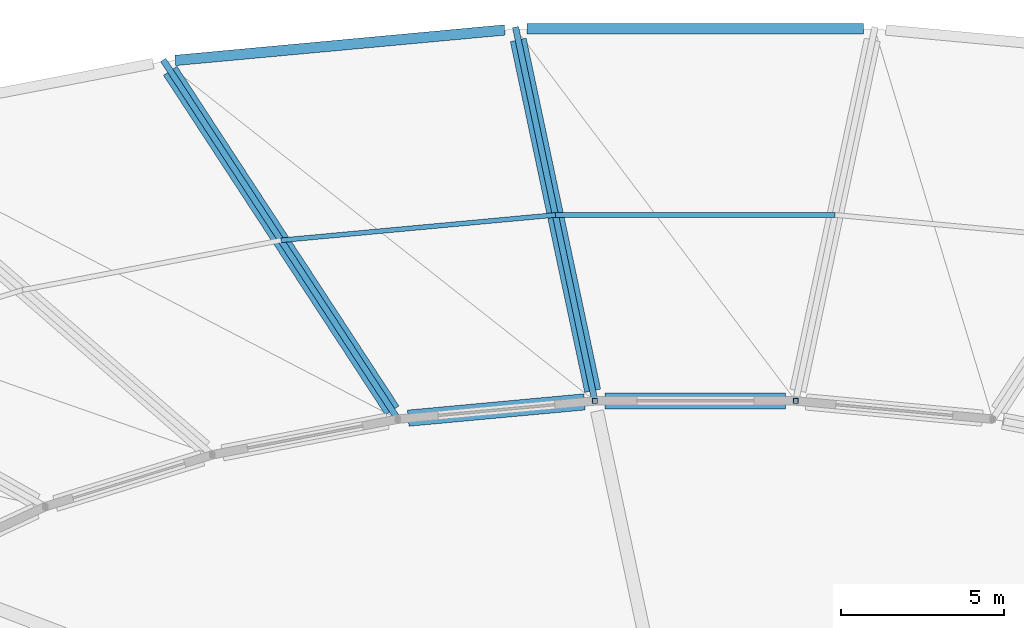
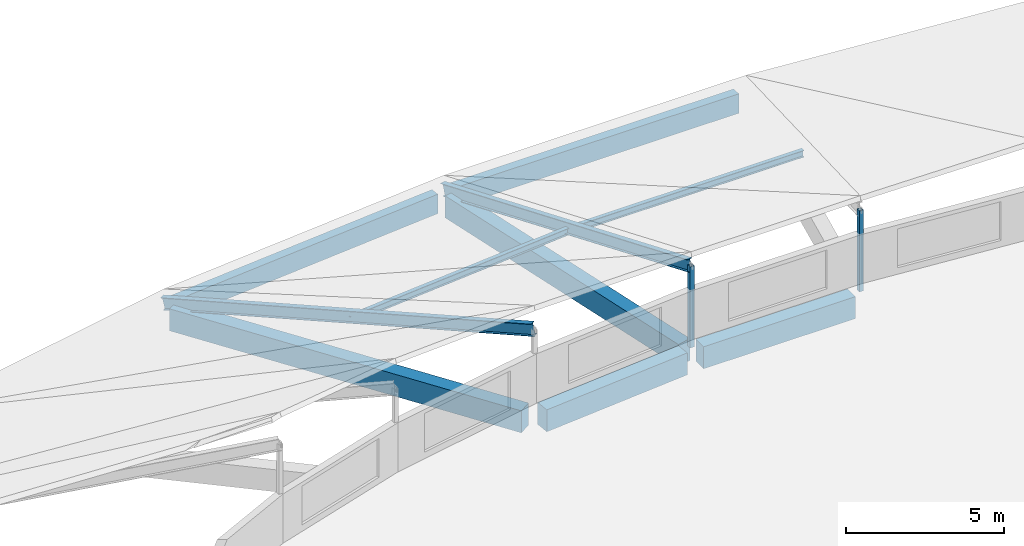
# One storey, part 70 of 142: 6 beams, 6 members.
"""IFC4 building model written with IfcOpenShell, lengths in metres."""

from ifc_helpers import new_model, si_unit, direction, frame, origin, origin_2d, place, context, subcontext, project, spatial, rectangle, hollow_rectangle, i_section, extrude, material, material_profile, profile_set, type_object, element, save


model = new_model("IFC4")

# Units and contexts
model_context = context("Model", 3, precision=1e-05, world=origin(), true_north=direction((0.0, 1.0)))
body_context = subcontext(model_context, "Body", "Model", "MODEL_VIEW")
ifc_project = project(units=[si_unit("LENGTHUNIT", "METRE"), si_unit("AREAUNIT", "SQUARE_METRE"), si_unit("VOLUMEUNIT", "CUBIC_METRE"), si_unit("PLANEANGLEUNIT", "RADIAN"), si_unit("MASSUNIT", "GRAM", prefix="KILO")], contexts=[model_context])

# Site, building, storey
site_placement = place(None, origin())
site = spatial("IfcSite", under=ifc_project, at=site_placement, CompositionType="ELEMENT")
building_placement = place(site_placement, origin())
building = spatial("IfcBuilding", under=site, at=building_placement, Name="Corvandel Quay Wholesale Market", CompositionType="ELEMENT")
storey_placement = place(building_placement, frame((0.0, 0.0, 10.800048828125)))
storey = spatial("IfcBuildingStorey", under=building, at=storey_placement, Name="L02", CompositionType="ELEMENT", Elevation=10.800048828125)

# Beams
ifc_material_1 = material(Name="Precast concrete C45/55", Category="concrete")
ifc_material_profile_1 = material_profile(ifc_material_1, rectangle(XDim=0.5, YDim=0.85009765625, at=origin_2d()), Name="PC-GIR-500x850")
ifc_profile_set_1 = profile_set([ifc_material_profile_1], Name="Precast concrete C45/55")
beam_type_1 = type_object("IfcBeamType", Name="Fish Hall Radial Girder G04 500x850", PredefinedType="USERDEFINED", material=ifc_profile_set_1)
beam_1_placement = place(storey_placement, frame((116.76904296875, 130.56005859375, -0.7451171875), z_axis=(-1.0, 0.0, 0.0), x_axis=(0.0, -1.0, 0.0)))
element("IfcBeam", 1, at=beam_1_placement, inside=storey, type_object=beam_type_1, Name="Beam BM-0575", ObjectType="GIRDER", PredefinedType="USERDEFINED", context=body_context, shape_type="SweptSolid", body=[
    extrude(rectangle(XDim=0.5, YDim=0.85009765625, at=origin_2d()), origin(), (0.0, 0.0, 1.0), 5.5380859375),
])
beam_2_placement = place(storey_placement, frame((110.59228515625, 130.530517578125, -0.7451171875), z_axis=(-0.995756442366, -0.092027753895, 0.0), x_axis=(0.092027753895, -0.995756442366, 0.0)))
element("IfcBeam", 2, at=beam_2_placement, inside=storey, type_object=beam_type_1, Name="Beam BM-0581", ObjectType="GIRDER", PredefinedType="USERDEFINED", context=body_context, shape_type="SweptSolid", body=[
    extrude(rectangle(XDim=0.5, YDim=0.85009765625, at=origin_2d()), origin(), (0.0, 0.0, 1.0), 5.44384765625),
])
beam_3_placement = place(storey_placement, frame((108.5556640625, 141.66259765625, -0.7451171875), z_axis=(0.207515120209, -0.978231810403, 0.0), x_axis=(0.978231810403, 0.207515120209, 0.0)))
element("IfcBeam", 3, at=beam_3_placement, inside=storey, type_object=beam_type_1, Name="Beam BM-0582", ObjectType="GIRDER", PredefinedType="USERDEFINED", context=body_context, shape_type="SweptSolid", body=[
    extrude(rectangle(XDim=0.5, YDim=0.85009765625, at=origin_2d()), origin(), (0.0, 0.0, 1.0), 11.029541015625),
])
beam_4_placement = place(storey_placement, frame((97.853759765625, 140.712158203125, -0.7451171875), z_axis=(0.546981498626, -0.837144694877, 0.0), x_axis=(0.837144694877, 0.546981498626, 0.0)))
element("IfcBeam", 4, at=beam_4_placement, inside=storey, type_object=beam_type_1, Name="Beam BM-0589", ObjectType="GIRDER", PredefinedType="USERDEFINED", context=body_context, shape_type="SweptSolid", body=[
    extrude(rectangle(XDim=0.5, YDim=0.85009765625, at=origin_2d()), origin(), (0.0, 0.0, 1.0), 12.47607421875),
])
ifc_material_profile_2 = material_profile(ifc_material_1, rectangle(XDim=0.320068359375, YDim=0.75, at=origin_2d()), Name="PC-SPN-320x750")
ifc_profile_set_2 = profile_set([ifc_material_profile_2], Name="Precast concrete C45/55")
beam_type_2 = type_object("IfcBeamType", Name="Pavilion Precast Spandrel SP02 320x750", PredefinedType="SPANDREL", material=ifc_profile_set_2)
beam_5_placement = place(storey_placement, frame((119.1708984375, 142.0, -0.695068359375), z_axis=(-1.0, 0.0, 0.0), x_axis=(0.0, -1.0, 0.0)))
element("IfcBeam", 5, at=beam_5_placement, inside=storey, type_object=beam_type_2, Name="Beam BM-0574", PredefinedType="SPANDREL", context=body_context, shape_type="SweptSolid", body=[
    extrude(rectangle(XDim=0.320068359375, YDim=0.75, at=origin_2d()), origin(), (0.0, 0.0, 1.0), 10.341796875),
])
beam_6_placement = place(storey_placement, frame((108.140380859375, 141.96826171875, -0.695068359375), z_axis=(-0.995763975637, -0.091946206136, 0.0), x_axis=(0.091946206136, -0.995763975637, 0.0)))
element("IfcBeam", 6, at=beam_6_placement, inside=storey, type_object=beam_type_2, Name="Beam BM-0580", PredefinedType="SPANDREL", context=body_context, shape_type="SweptSolid", body=[
    extrude(rectangle(XDim=0.320068359375, YDim=0.75, at=origin_2d()), origin(), (0.0, 0.0, 1.0), 10.175048828125),
])

# Members
ifc_material_2 = material(Name="Steel A992 Grade 50", Category="steel")
ifc_material_profile_3 = material_profile(ifc_material_2, i_section(OverallWidth=0.14697265625, OverallDepth=0.261962890625, WebThickness=0.006591796875, FlangeThickness=0.01123046875, at=origin_2d()), Name="W10X26")
ifc_profile_set_3 = profile_set([ifc_material_profile_3], Name="Steel A992 Grade 50")
member_type_1 = type_object("IfcMemberType", Name="Roof Clerestory Purlin Rafter RF03 W10X26", PredefinedType="RAFTER", material=ifc_profile_set_3)
member_1_placement = place(storey_placement, frame((118.302490234375, 136.280029296875, 1.0869140625), z_axis=(-1.0, 0.0, 0.0), x_axis=(0.0, -1.0, 0.0)))
element("IfcMember", 7, at=member_1_placement, inside=storey, type_object=member_type_1, Name="Member MEM-0006", PredefinedType="RAFTER", context=body_context, shape_type="SweptSolid", body=[
    extrude(i_section(OverallWidth=0.14697265625, OverallDepth=0.261962890625, WebThickness=0.006591796875, FlangeThickness=0.01123046875, at=origin_2d()), origin(), (0.0, 0.0, 1.0), 8.60498046875),
])
member_2_placement = place(storey_placement, frame((109.697509765625, 136.280029296875, 1.0869140625), z_axis=(-0.995760145254, -0.091987679198, 0.0), x_axis=(0.091987679198, -0.995760145254, 0.0)))
element("IfcMember", 8, at=member_2_placement, inside=storey, type_object=member_type_1, Name="Member MEM-0009", PredefinedType="RAFTER", context=body_context, shape_type="SweptSolid", body=[
    extrude(i_section(OverallWidth=0.14697265625, OverallDepth=0.261962890625, WebThickness=0.006591796875, FlangeThickness=0.01123046875, at=origin_2d()), origin(), (0.0, 0.0, 1.0), 8.474365234375),
])
ifc_material_profile_4 = material_profile(ifc_material_2, i_section(OverallWidth=0.19091796875, OverallDepth=0.4599609375, WebThickness=0.010009765625, FlangeThickness=0.01611328125, at=origin_2d()), Name="W18X55")
ifc_profile_set_4 = profile_set([ifc_material_profile_4], Name="Steel A992 Grade 50")
member_type_2 = type_object("IfcMemberType", Name="Sawtooth Clerestory Rafter RF02 W18X55", PredefinedType="RAFTER", material=ifc_profile_set_4)
member_3_placement = place(storey_placement, frame((108.48388671875, 142.0, -0.340087890625), z_axis=(0.200459070726, -0.944885940658, 0.258856562812), x_axis=(0.978228089234, 0.207532661127, 0.0)))
element("IfcMember", 9, at=member_3_placement, inside=storey, type_object=member_type_2, Name="Member MEM-0007", PredefinedType="RAFTER", context=body_context, shape_type="SweptSolid", body=[
    extrude(i_section(OverallWidth=0.19091796875, OverallDepth=0.4599609375, WebThickness=0.010009765625, FlangeThickness=0.01611328125, at=origin_2d()), origin(), (0.0, 0.0, 1.0), 12.107177734375),
])
member_4_placement = place(storey_placement, frame((97.6650390625, 141.0009765625, -0.340087890625), z_axis=(0.532062984619, -0.814304669755, 0.231984665904), x_axis=(0.837142380176, 0.546985041215, 0.0)))
element("IfcMember", 10, at=member_4_placement, inside=storey, type_object=member_type_2, Name="Member MEM-0010", PredefinedType="RAFTER", context=body_context, shape_type="SweptSolid", body=[
    extrude(i_section(OverallWidth=0.19091796875, OverallDepth=0.4599609375, WebThickness=0.010009765625, FlangeThickness=0.01611328125, at=origin_2d()), origin(), (0.0, 0.0, 1.0), 13.509765625),
])
ifc_material_3 = material(Name="Steel A500 Grade C", Category="steel")
ifc_material_profile_5 = material_profile(ifc_material_3, hollow_rectangle(XDim=0.152099609375, YDim=0.152099609375, WallThickness=0.0087890625, at=origin_2d()), Name="HSS6X6X3/8")
ifc_profile_set_5 = profile_set([ifc_material_profile_5], Name="Steel A500 Grade C")
member_type_3 = type_object("IfcMemberType", Name="Sawtooth Truss Web Brace BR03 HSS6X6", PredefinedType="BRACE", material=ifc_profile_set_5)
for number, where, z_axis, x_axis, name in (
    (11, (117.089111328125, 130.56005859375, -0.340087890625), (0.0, 0.0, 1.0), (1.0, 0.0, 0.0), "Member MEM-0005"),
    (12, (110.910888671875, 130.56005859375, -0.340087890625), (0.0, 0.0, 1.0), (1.0, 0.0, 0.0), "Member MEM-0008"),
):
    element("IfcMember", number, at=place(storey_placement, frame(where, z_axis=z_axis, x_axis=x_axis)), inside=storey, type_object=member_type_3, Name=name, PredefinedType="BRACE", context=body_context, shape_type="SweptSolid", body=[
        extrude(hollow_rectangle(XDim=0.152099609375, YDim=0.152099609375, WallThickness=0.0087890625, at=origin_2d()), origin(), (0.0, 0.0, 1.0), 3.134033203125),
    ])

save(model, "model.ifc")
